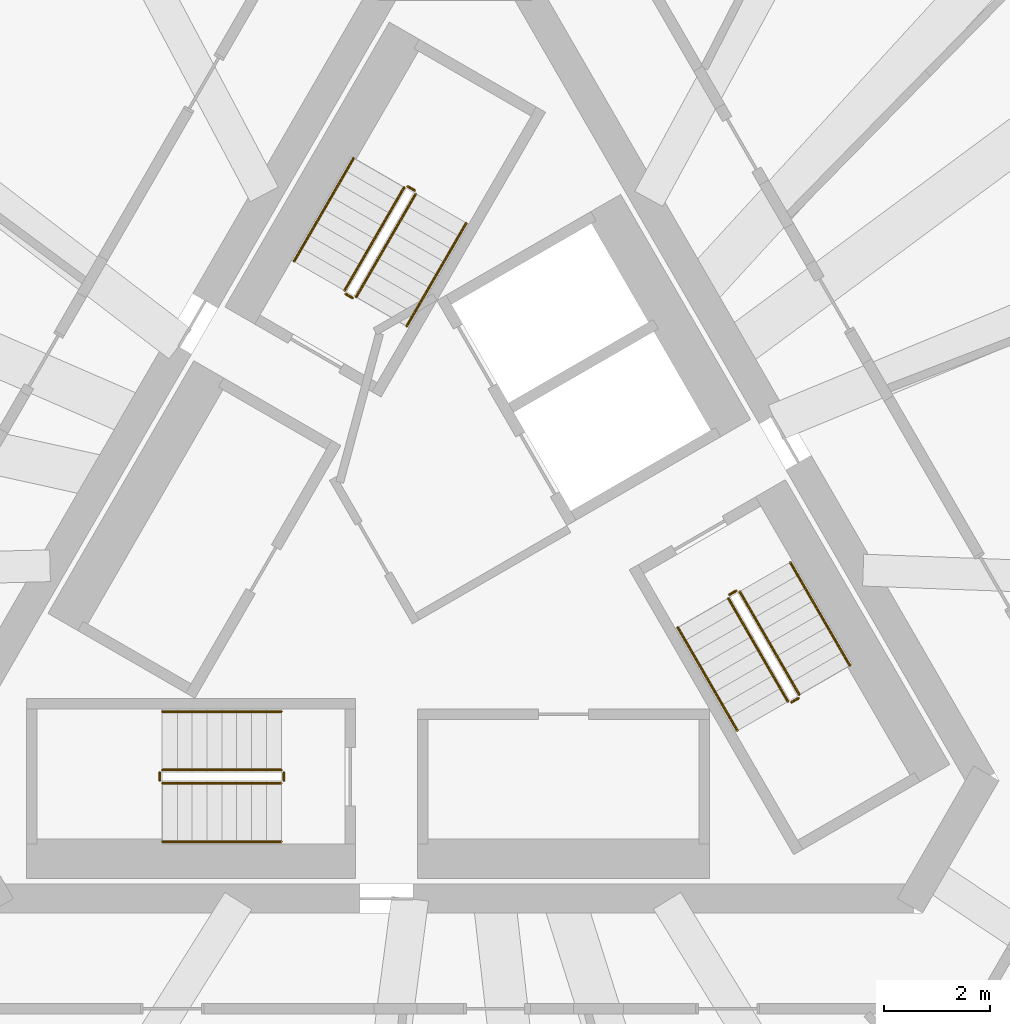
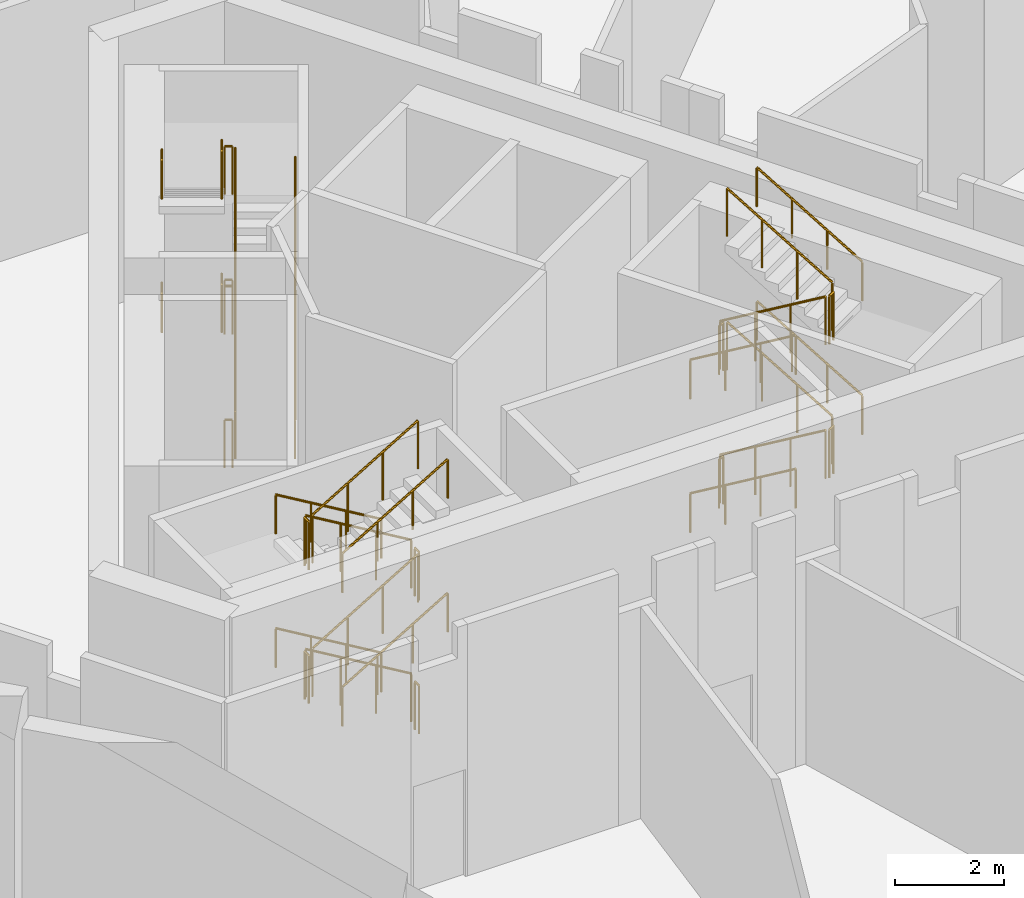
# One storey, part 5 of 5: 36 railings.
"""IFC4 building model written with IfcOpenShell, lengths in metres."""

from ifc_helpers import new_model, si_unit, direction, frame, origin, origin_2d, place, context, subcontext, project, spatial, circle, extrude, material, type_object, element, save


model = new_model("IFC4")

# Units and contexts
model_context = context("Model", 3, precision=1e-05, world=origin(), true_north=direction((0.0, 1.0)))
body_context = subcontext(model_context, "Body", "Model", "MODEL_VIEW")
ifc_project = project(units=[si_unit("LENGTHUNIT", "METRE"), si_unit("AREAUNIT", "SQUARE_METRE"), si_unit("VOLUMEUNIT", "CUBIC_METRE"), si_unit("PLANEANGLEUNIT", "RADIAN"), si_unit("MASSUNIT", "GRAM", prefix="KILO")], contexts=[model_context])

# Site, building, storey
site_placement = place(None, origin())
site = spatial("IfcSite", under=ifc_project, at=site_placement, CompositionType="ELEMENT")
building_placement = place(site_placement, origin())
building = spatial("IfcBuilding", under=site, at=building_placement, Name="Tramontana Tower", CompositionType="ELEMENT")
storey_placement = place(building_placement, frame((0.0, 0.0, 374.89990234375)))
storey = spatial("IfcBuildingStorey", under=building, at=storey_placement, Name="L86", CompositionType="ELEMENT", Elevation=374.89990234375)

# Railings
ifc_material_1 = material(Name="Painted steel", Category="steel")
railing_type_1 = type_object("IfcRailingType", Name="STAIR GUARD 1100", PredefinedType="GUARDRAIL", material=ifc_material_1)
railing_1_placement = place(storey_placement, frame((-1.867431640625, 4.865478515625, 0.166748046875)))
element("IfcRailing", 1, at=railing_1_placement, inside=storey, type_object=railing_type_1, Name="L86 ST1 stair guard 1", PredefinedType="GUARDRAIL", context=body_context, shape_type="SweptSolid", body=[
    extrude(circle(Radius=0.02392578125, at=origin_2d()), frame((0.0, 0.0, 1.076171875), z_axis=(0.429684499369, 0.744174592847, 0.511444431354), x_axis=(-0.866007717299, 0.500030632641, 0.0)), (0.0, 0.0, 1.0), 2.60693359375),
    extrude(circle(Radius=0.02099609375, at=origin_2d()), origin(), (0.0, 0.0, 1.0), 1.052001953125),
    extrude(circle(Radius=0.02099609375, at=origin_2d()), frame((0.373291015625, 0.646728515625, 0.4443359375)), (0.0, 0.0, 1.0), 1.052001953125),
    extrude(circle(Radius=0.02099609375, at=origin_2d()), frame((0.746826171875, 1.293212890625, 0.888916015625)), (0.0, 0.0, 1.0), 1.052001953125),
    extrude(circle(Radius=0.02099609375, at=origin_2d()), frame((1.1201171875, 1.93994140625, 1.333251953125)), (0.0, 0.0, 1.0), 1.052001953125),
])
railing_2_placement = place(storey_placement, frame((-0.9638671875, 6.930419921875, 1.666748046875)))
element("IfcRailing", 2, at=railing_2_placement, inside=storey, type_object=railing_type_1, Name="L86 ST1 stair guard 2", PredefinedType="GUARDRAIL", context=body_context, shape_type="SweptSolid", body=[
    extrude(circle(Radius=0.02392578125, at=origin_2d()), frame((0.0, 0.0, 1.076171875), z_axis=(-0.429684499369, -0.744174592847, 0.511444431354), x_axis=(0.866007717299, -0.500030632641, 0.0)), (0.0, 0.0, 1.0), 2.60693359375),
    extrude(circle(Radius=0.02099609375, at=origin_2d()), origin(), (0.0, 0.0, 1.0), 1.052001953125),
    extrude(circle(Radius=0.02099609375, at=origin_2d()), frame((-0.373291015625, -0.646728515625, 0.4443359375)), (0.0, 0.0, 1.0), 1.052001953125),
    extrude(circle(Radius=0.02099609375, at=origin_2d()), frame((-0.746826171875, -1.293212890625, 0.888916015625)), (0.0, 0.0, 1.0), 1.052001953125),
    extrude(circle(Radius=0.02099609375, at=origin_2d()), frame((-1.1201171875, -1.93994140625, 1.333251953125)), (0.0, 0.0, 1.0), 1.052001953125),
])
railing_3_placement = place(storey_placement, frame((-1.867431640625, 4.865478515625, 3.166748046875)))
element("IfcRailing", 3, at=railing_3_placement, inside=storey, type_object=railing_type_1, Name="L86 ST1 stair guard 3", PredefinedType="GUARDRAIL", context=body_context, shape_type="SweptSolid", body=[
    extrude(circle(Radius=0.02392578125, at=origin_2d()), frame((0.0, 0.0, 1.076171875), z_axis=(0.429684499369, 0.744174592847, 0.511444431354), x_axis=(-0.866007717299, 0.500030632641, 0.0)), (0.0, 0.0, 1.0), 2.60693359375),
    extrude(circle(Radius=0.02099609375, at=origin_2d()), origin(), (0.0, 0.0, 1.0), 1.052001953125),
    extrude(circle(Radius=0.02099609375, at=origin_2d()), frame((0.373291015625, 0.646728515625, 0.4443359375)), (0.0, 0.0, 1.0), 1.052001953125),
    extrude(circle(Radius=0.02099609375, at=origin_2d()), frame((0.746826171875, 1.293212890625, 0.888916015625)), (0.0, 0.0, 1.0), 1.052001953125),
    extrude(circle(Radius=0.02099609375, at=origin_2d()), frame((1.1201171875, 1.93994140625, 1.333251953125)), (0.0, 0.0, 1.0), 1.052001953125),
])
railing_4_placement = place(storey_placement, frame((-0.9638671875, 6.930419921875, 4.666748046875)))
element("IfcRailing", 4, at=railing_4_placement, inside=storey, type_object=railing_type_1, Name="L86 ST1 stair guard 4", PredefinedType="GUARDRAIL", context=body_context, shape_type="SweptSolid", body=[
    extrude(circle(Radius=0.02392578125, at=origin_2d()), frame((0.0, 0.0, 1.076171875), z_axis=(-0.429684499369, -0.744174592847, 0.511444431354), x_axis=(0.866007717299, -0.500030632641, 0.0)), (0.0, 0.0, 1.0), 2.60693359375),
    extrude(circle(Radius=0.02099609375, at=origin_2d()), origin(), (0.0, 0.0, 1.0), 1.052001953125),
    extrude(circle(Radius=0.02099609375, at=origin_2d()), frame((-0.373291015625, -0.646728515625, 0.4443359375)), (0.0, 0.0, 1.0), 1.052001953125),
    extrude(circle(Radius=0.02099609375, at=origin_2d()), frame((-0.746826171875, -1.293212890625, 0.888916015625)), (0.0, 0.0, 1.0), 1.052001953125),
    extrude(circle(Radius=0.02099609375, at=origin_2d()), frame((-1.1201171875, -1.93994140625, 1.333251953125)), (0.0, 0.0, 1.0), 1.052001953125),
])
railing_5_placement = place(storey_placement, frame((-0.765625, 6.873779296875, 1.5)))
element("IfcRailing", 5, at=railing_5_placement, inside=storey, type_object=railing_type_1, Name="L86 ST1 stair guard 5", PredefinedType="GUARDRAIL", context=body_context, shape_type="SweptSolid", body=[
    extrude(circle(Radius=0.02392578125, at=origin_2d()), frame((0.0, 0.0, 1.076171875), z_axis=(-0.866131372301, 0.499816412211, 0.0), x_axis=(-0.499816412211, -0.866131372301, 0.0)), (0.0, 0.0, 1.0), 0.14990234375),
    extrude(circle(Radius=0.02099609375, at=origin_2d()), origin(), (0.0, 0.0, 1.0), 1.052001953125),
    extrude(circle(Radius=0.02099609375, at=origin_2d()), frame((-0.1298828125, 0.074951171875, 0.0)), (0.0, 0.0, 1.0), 1.052001953125),
])
railing_6_placement = place(storey_placement, frame((-1.935791015625, 4.84716796875, 3.0)))
element("IfcRailing", 6, at=railing_6_placement, inside=storey, type_object=railing_type_1, Name="L86 ST1 stair guard 6", PredefinedType="GUARDRAIL", context=body_context, shape_type="SweptSolid", body=[
    extrude(circle(Radius=0.02392578125, at=origin_2d()), frame((0.0, 0.0, 1.076171875), z_axis=(-0.865426285481, 0.501036270542, 0.0), x_axis=(-0.501036270542, -0.865426285481, 0.0)), (0.0, 0.0, 1.0), 0.150146484375),
    extrude(circle(Radius=0.02099609375, at=origin_2d()), origin(), (0.0, 0.0, 1.0), 1.052001953125),
    extrude(circle(Radius=0.02099609375, at=origin_2d()), frame((-0.1298828125, 0.0751953125, 0.0)), (0.0, 0.0, 1.0), 1.052001953125),
])
railing_7_placement = place(storey_placement, frame((-0.765625, 6.873779296875, 4.5)))
element("IfcRailing", 7, at=railing_7_placement, inside=storey, type_object=railing_type_1, Name="L86 ST1 stair guard 7", PredefinedType="GUARDRAIL", context=body_context, shape_type="SweptSolid", body=[
    extrude(circle(Radius=0.02392578125, at=origin_2d()), frame((0.0, 0.0, 1.076171875), z_axis=(-0.866131372301, 0.499816412211, 0.0), x_axis=(-0.499816412211, -0.866131372301, 0.0)), (0.0, 0.0, 1.0), 0.14990234375),
    extrude(circle(Radius=0.02099609375, at=origin_2d()), origin(), (0.0, 0.0, 1.0), 1.052001953125),
    extrude(circle(Radius=0.02099609375, at=origin_2d()), frame((-0.1298828125, 0.074951171875, 0.0)), (0.0, 0.0, 1.0), 1.052001953125),
])
railing_8_placement = place(storey_placement, frame((-1.935791015625, 4.84716796875, 0.0)))
element("IfcRailing", 8, at=railing_8_placement, inside=storey, type_object=railing_type_1, Name="L86 ST1 stair guard 8", PredefinedType="GUARDRAIL", context=body_context, shape_type="SweptSolid", body=[
    extrude(circle(Radius=0.02392578125, at=origin_2d()), frame((0.0, 0.0, 1.076171875), z_axis=(-0.865426285481, 0.501036270542, 0.0), x_axis=(-0.501036270542, -0.865426285481, 0.0)), (0.0, 0.0, 1.0), 0.150146484375),
    extrude(circle(Radius=0.02099609375, at=origin_2d()), origin(), (0.0, 0.0, 1.0), 1.052001953125),
    extrude(circle(Radius=0.02099609375, at=origin_2d()), frame((-0.1298828125, 0.0751953125, 0.0)), (0.0, 0.0, 1.0), 1.052001953125),
])
railing_9_placement = place(storey_placement, frame((-3.280029296875, -4.050048828125, 0.166748046875)))
element("IfcRailing", 9, at=railing_9_placement, inside=storey, type_object=railing_type_1, Name="L86 ST2 stair guard 1", PredefinedType="GUARDRAIL", context=body_context, shape_type="SweptSolid", body=[
    extrude(circle(Radius=0.02392578125, at=origin_2d()), frame((0.0, 0.0, 1.076171875), z_axis=(-0.859305625298, 0.0, 0.511462454469), x_axis=(0.0, -1.0, 0.0)), (0.0, 0.0, 1.0), 2.606689453125),
    extrude(circle(Radius=0.02099609375, at=origin_2d()), origin(), (0.0, 0.0, 1.0), 1.052001953125),
    extrude(circle(Radius=0.02099609375, at=origin_2d()), frame((-0.74658203125, 0.0, 0.4443359375)), (0.0, 0.0, 1.0), 1.052001953125),
    extrude(circle(Radius=0.02099609375, at=origin_2d()), frame((-1.493408203125, 0.0, 0.888916015625)), (0.0, 0.0, 1.0), 1.052001953125),
    extrude(circle(Radius=0.02099609375, at=origin_2d()), frame((-2.239990234375, 0.0, 1.333251953125)), (0.0, 0.0, 1.0), 1.052001953125),
])
railing_10_placement = place(storey_placement, frame((-5.52001953125, -4.300048828125, 1.666748046875)))
element("IfcRailing", 10, at=railing_10_placement, inside=storey, type_object=railing_type_1, Name="L86 ST2 stair guard 2", PredefinedType="GUARDRAIL", context=body_context, shape_type="SweptSolid", body=[
    extrude(circle(Radius=0.02392578125, at=origin_2d()), frame((0.0, 0.0, 1.076171875), z_axis=(0.859305625298, 0.0, 0.511462454469), x_axis=(0.0, 1.0, 0.0)), (0.0, 0.0, 1.0), 2.606689453125),
    extrude(circle(Radius=0.02099609375, at=origin_2d()), origin(), (0.0, 0.0, 1.0), 1.052001953125),
    extrude(circle(Radius=0.02099609375, at=origin_2d()), frame((0.74658203125, 0.0, 0.4443359375)), (0.0, 0.0, 1.0), 1.052001953125),
    extrude(circle(Radius=0.02099609375, at=origin_2d()), frame((1.493408203125, 0.0, 0.888916015625)), (0.0, 0.0, 1.0), 1.052001953125),
    extrude(circle(Radius=0.02099609375, at=origin_2d()), frame((2.239990234375, 0.0, 1.333251953125)), (0.0, 0.0, 1.0), 1.052001953125),
])
railing_11_placement = place(storey_placement, frame((-3.280029296875, -4.050048828125, 3.166748046875)))
element("IfcRailing", 11, at=railing_11_placement, inside=storey, type_object=railing_type_1, Name="L86 ST2 stair guard 3", PredefinedType="GUARDRAIL", context=body_context, shape_type="SweptSolid", body=[
    extrude(circle(Radius=0.02392578125, at=origin_2d()), frame((0.0, 0.0, 1.076171875), z_axis=(-0.859305625298, 0.0, 0.511462454469), x_axis=(0.0, -1.0, 0.0)), (0.0, 0.0, 1.0), 2.606689453125),
    extrude(circle(Radius=0.02099609375, at=origin_2d()), origin(), (0.0, 0.0, 1.0), 1.052001953125),
    extrude(circle(Radius=0.02099609375, at=origin_2d()), frame((-0.74658203125, 0.0, 0.4443359375)), (0.0, 0.0, 1.0), 1.052001953125),
    extrude(circle(Radius=0.02099609375, at=origin_2d()), frame((-1.493408203125, 0.0, 0.888916015625)), (0.0, 0.0, 1.0), 1.052001953125),
    extrude(circle(Radius=0.02099609375, at=origin_2d()), frame((-2.239990234375, 0.0, 1.333251953125)), (0.0, 0.0, 1.0), 1.052001953125),
])
railing_12_placement = place(storey_placement, frame((-5.52001953125, -4.300048828125, 4.666748046875)))
element("IfcRailing", 12, at=railing_12_placement, inside=storey, type_object=railing_type_1, Name="L86 ST2 stair guard 4", PredefinedType="GUARDRAIL", context=body_context, shape_type="SweptSolid", body=[
    extrude(circle(Radius=0.02392578125, at=origin_2d()), frame((0.0, 0.0, 1.076171875), z_axis=(0.859305625298, 0.0, 0.511462454469), x_axis=(0.0, 1.0, 0.0)), (0.0, 0.0, 1.0), 2.606689453125),
    extrude(circle(Radius=0.02099609375, at=origin_2d()), origin(), (0.0, 0.0, 1.0), 1.052001953125),
    extrude(circle(Radius=0.02099609375, at=origin_2d()), frame((0.74658203125, 0.0, 0.4443359375)), (0.0, 0.0, 1.0), 1.052001953125),
    extrude(circle(Radius=0.02099609375, at=origin_2d()), frame((1.493408203125, 0.0, 0.888916015625)), (0.0, 0.0, 1.0), 1.052001953125),
    extrude(circle(Radius=0.02099609375, at=origin_2d()), frame((2.239990234375, 0.0, 1.333251953125)), (0.0, 0.0, 1.0), 1.052001953125),
])
for number, where, name in (
    (13, (-5.570068359375, -4.10009765625, 1.5), "L86 ST2 stair guard 5"),
    (14, (-3.22998046875, -4.10009765625, 3.0), "L86 ST2 stair guard 6"),
    (15, (-5.570068359375, -4.10009765625, 4.5), "L86 ST2 stair guard 7"),
    (16, (-3.22998046875, -4.10009765625, 0.0), "L86 ST2 stair guard 8"),
):
    element("IfcRailing", number, at=place(storey_placement, frame(where)), inside=storey, type_object=railing_type_1, Name=name, PredefinedType="GUARDRAIL", context=body_context, shape_type="SweptSolid", body=[
        extrude(circle(Radius=0.02392578125, at=origin_2d()), frame((0.0, 0.0, 1.076171875), z_axis=(0.0, -1.0, 0.0), x_axis=(1.0, 0.0, 0.0)), (0.0, 0.0, 1.0), 0.14990234375),
        extrude(circle(Radius=0.02099609375, at=origin_2d()), origin(), (0.0, 0.0, 1.0), 1.052001953125),
        extrude(circle(Radius=0.02099609375, at=origin_2d()), frame((0.0, -0.14990234375, 0.0)), (0.0, 0.0, 1.0), 1.052001953125),
    ])
railing_13_placement = place(storey_placement, frame((5.1474609375, -0.815673828125, 0.166748046875)))
element("IfcRailing", 17, at=railing_13_placement, inside=storey, type_object=railing_type_1, Name="L86 ST3 stair guard 1", PredefinedType="GUARDRAIL", context=body_context, shape_type="SweptSolid", body=[
    extrude(circle(Radius=0.02392578125, at=origin_2d()), frame((0.0, 0.0, 1.076171875), z_axis=(0.429638077151, -0.74416274754, 0.511500662595), x_axis=(0.866027664105, 0.49999608499, 0.0)), (0.0, 0.0, 1.0), 2.6064453125),
    extrude(circle(Radius=0.02099609375, at=origin_2d()), origin(), (0.0, 0.0, 1.0), 1.052001953125),
    extrude(circle(Radius=0.02099609375, at=origin_2d()), frame((0.373291015625, -0.646484375, 0.4443359375)), (0.0, 0.0, 1.0), 1.052001953125),
    extrude(circle(Radius=0.02099609375, at=origin_2d()), frame((0.74658203125, -1.293212890625, 0.888916015625)), (0.0, 0.0, 1.0), 1.052001953125),
    extrude(circle(Radius=0.02099609375, at=origin_2d()), frame((1.119873046875, -1.939697265625, 1.333251953125)), (0.0, 0.0, 1.0), 1.052001953125),
])
railing_14_placement = place(storey_placement, frame((6.48388671875, -2.63037109375, 1.666748046875)))
element("IfcRailing", 18, at=railing_14_placement, inside=storey, type_object=railing_type_1, Name="L86 ST3 stair guard 2", PredefinedType="GUARDRAIL", context=body_context, shape_type="SweptSolid", body=[
    extrude(circle(Radius=0.02392578125, at=origin_2d()), frame((0.0, 0.0, 1.076171875), z_axis=(-0.429638077151, 0.74416274754, 0.511500662595), x_axis=(-0.866027664105, -0.49999608499, 0.0)), (0.0, 0.0, 1.0), 2.6064453125),
    extrude(circle(Radius=0.02099609375, at=origin_2d()), origin(), (0.0, 0.0, 1.0), 1.052001953125),
    extrude(circle(Radius=0.02099609375, at=origin_2d()), frame((-0.373291015625, 0.646484375, 0.4443359375)), (0.0, 0.0, 1.0), 1.052001953125),
    extrude(circle(Radius=0.02099609375, at=origin_2d()), frame((-0.74658203125, 1.293212890625, 0.888916015625)), (0.0, 0.0, 1.0), 1.052001953125),
    extrude(circle(Radius=0.02099609375, at=origin_2d()), frame((-1.119873046875, 1.939697265625, 1.333251953125)), (0.0, 0.0, 1.0), 1.052001953125),
])
railing_15_placement = place(storey_placement, frame((5.1474609375, -0.815673828125, 3.166748046875)))
element("IfcRailing", 19, at=railing_15_placement, inside=storey, type_object=railing_type_1, Name="L86 ST3 stair guard 3", PredefinedType="GUARDRAIL", context=body_context, shape_type="SweptSolid", body=[
    extrude(circle(Radius=0.02392578125, at=origin_2d()), frame((0.0, 0.0, 1.076171875), z_axis=(0.429638077151, -0.74416274754, 0.511500662595), x_axis=(0.866027664105, 0.49999608499, 0.0)), (0.0, 0.0, 1.0), 2.6064453125),
    extrude(circle(Radius=0.02099609375, at=origin_2d()), origin(), (0.0, 0.0, 1.0), 1.052001953125),
    extrude(circle(Radius=0.02099609375, at=origin_2d()), frame((0.373291015625, -0.646484375, 0.4443359375)), (0.0, 0.0, 1.0), 1.052001953125),
    extrude(circle(Radius=0.02099609375, at=origin_2d()), frame((0.74658203125, -1.293212890625, 0.888916015625)), (0.0, 0.0, 1.0), 1.052001953125),
    extrude(circle(Radius=0.02099609375, at=origin_2d()), frame((1.119873046875, -1.939697265625, 1.333251953125)), (0.0, 0.0, 1.0), 1.052001953125),
])
railing_16_placement = place(storey_placement, frame((6.48388671875, -2.63037109375, 4.666748046875)))
element("IfcRailing", 20, at=railing_16_placement, inside=storey, type_object=railing_type_1, Name="L86 ST3 stair guard 4", PredefinedType="GUARDRAIL", context=body_context, shape_type="SweptSolid", body=[
    extrude(circle(Radius=0.02392578125, at=origin_2d()), frame((0.0, 0.0, 1.076171875), z_axis=(-0.429638077151, 0.74416274754, 0.511500662595), x_axis=(-0.866027664105, -0.49999608499, 0.0)), (0.0, 0.0, 1.0), 2.6064453125),
    extrude(circle(Radius=0.02099609375, at=origin_2d()), origin(), (0.0, 0.0, 1.0), 1.052001953125),
    extrude(circle(Radius=0.02099609375, at=origin_2d()), frame((-0.373291015625, 0.646484375, 0.4443359375)), (0.0, 0.0, 1.0), 1.052001953125),
    extrude(circle(Radius=0.02099609375, at=origin_2d()), frame((-0.74658203125, 1.293212890625, 0.888916015625)), (0.0, 0.0, 1.0), 1.052001953125),
    extrude(circle(Radius=0.02099609375, at=origin_2d()), frame((-1.119873046875, 1.939697265625, 1.333251953125)), (0.0, 0.0, 1.0), 1.052001953125),
])
for number, where, name in (
    (21, (6.335693359375, -2.773681640625, 1.5), "L86 ST3 stair guard 5"),
    (22, (5.165771484375, -0.747314453125, 3.0), "L86 ST3 stair guard 6"),
    (23, (6.335693359375, -2.773681640625, 4.5), "L86 ST3 stair guard 7"),
    (24, (5.165771484375, -0.747314453125, 0.0), "L86 ST3 stair guard 8"),
):
    element("IfcRailing", number, at=place(storey_placement, frame(where)), inside=storey, type_object=railing_type_1, Name=name, PredefinedType="GUARDRAIL", context=body_context, shape_type="SweptSolid", body=[
        extrude(circle(Radius=0.02392578125, at=origin_2d()), frame((0.0, 0.0, 1.076171875), z_axis=(0.866131372301, 0.499816412211, 0.0), x_axis=(-0.499816412211, 0.866131372301, 0.0)), (0.0, 0.0, 1.0), 0.14990234375),
        extrude(circle(Radius=0.02099609375, at=origin_2d()), origin(), (0.0, 0.0, 1.0), 1.052001953125),
        extrude(circle(Radius=0.02099609375, at=origin_2d()), frame((0.1298828125, 0.074951171875, 0.0)), (0.0, 0.0, 1.0), 1.052001953125),
    ])
ifc_material_2 = material(Name="Painted steel", Category="steel")
railing_type_2 = type_object("IfcRailingType", Name="STAIR HANDRAIL 900", PredefinedType="HANDRAIL", material=ifc_material_2)
railing_17_placement = place(storey_placement, frame((-0.914794921875, 4.315673828125, 0.166748046875)))
element("IfcRailing", 25, at=railing_17_placement, inside=storey, type_object=railing_type_2, Name="L86 ST1 stair handrail 1", PredefinedType="HANDRAIL", context=body_context, shape_type="SweptSolid", body=[
    extrude(circle(Radius=0.02392578125, at=origin_2d()), frame((0.0, 0.0, 0.8759765625), z_axis=(0.429714447441, 0.744132799677, 0.511480077916), x_axis=(-0.865980463445, 0.500077830873, 0.0)), (0.0, 0.0, 1.0), 2.606689453125),
    extrude(circle(Radius=0.02099609375, at=origin_2d()), origin(), (0.0, 0.0, 1.0), 0.851806640625),
    extrude(circle(Radius=0.02099609375, at=origin_2d()), frame((0.373291015625, 0.646484375, 0.4443359375)), (0.0, 0.0, 1.0), 0.851806640625),
    extrude(circle(Radius=0.02099609375, at=origin_2d()), frame((0.746826171875, 1.293212890625, 0.888916015625)), (0.0, 0.0, 1.0), 0.851806640625),
    extrude(circle(Radius=0.02099609375, at=origin_2d()), frame((1.1201171875, 1.939697265625, 1.333251953125)), (0.0, 0.0, 1.0), 0.851806640625),
])
railing_18_placement = place(storey_placement, frame((-1.91650390625, 7.48046875, 1.666748046875)))
element("IfcRailing", 26, at=railing_18_placement, inside=storey, type_object=railing_type_2, Name="L86 ST1 stair handrail 2", PredefinedType="HANDRAIL", context=body_context, shape_type="SweptSolid", body=[
    extrude(circle(Radius=0.02392578125, at=origin_2d()), frame((0.0, 0.0, 0.8759765625), z_axis=(-0.429684499369, -0.744174592847, 0.511444431354), x_axis=(0.866007717299, -0.500030632641, 0.0)), (0.0, 0.0, 1.0), 2.60693359375),
    extrude(circle(Radius=0.02099609375, at=origin_2d()), origin(), (0.0, 0.0, 1.0), 0.851806640625),
    extrude(circle(Radius=0.02099609375, at=origin_2d()), frame((-0.373291015625, -0.646728515625, 0.4443359375)), (0.0, 0.0, 1.0), 0.851806640625),
    extrude(circle(Radius=0.02099609375, at=origin_2d()), frame((-0.746826171875, -1.293212890625, 0.888916015625)), (0.0, 0.0, 1.0), 0.851806640625),
    extrude(circle(Radius=0.02099609375, at=origin_2d()), frame((-1.1201171875, -1.93994140625, 1.333251953125)), (0.0, 0.0, 1.0), 0.851806640625),
])
railing_19_placement = place(storey_placement, frame((-0.914794921875, 4.315673828125, 3.166748046875)))
element("IfcRailing", 27, at=railing_19_placement, inside=storey, type_object=railing_type_2, Name="L86 ST1 stair handrail 3", PredefinedType="HANDRAIL", context=body_context, shape_type="SweptSolid", body=[
    extrude(circle(Radius=0.02392578125, at=origin_2d()), frame((0.0, 0.0, 0.8759765625), z_axis=(0.429714447441, 0.744132799677, 0.511480077916), x_axis=(-0.865980463445, 0.500077830873, 0.0)), (0.0, 0.0, 1.0), 2.606689453125),
    extrude(circle(Radius=0.02099609375, at=origin_2d()), origin(), (0.0, 0.0, 1.0), 0.851806640625),
    extrude(circle(Radius=0.02099609375, at=origin_2d()), frame((0.373291015625, 0.646484375, 0.4443359375)), (0.0, 0.0, 1.0), 0.851806640625),
    extrude(circle(Radius=0.02099609375, at=origin_2d()), frame((0.746826171875, 1.293212890625, 0.888916015625)), (0.0, 0.0, 1.0), 0.851806640625),
    extrude(circle(Radius=0.02099609375, at=origin_2d()), frame((1.1201171875, 1.939697265625, 1.333251953125)), (0.0, 0.0, 1.0), 0.851806640625),
])
railing_20_placement = place(storey_placement, frame((-1.91650390625, 7.48046875, 4.666748046875)))
element("IfcRailing", 28, at=railing_20_placement, inside=storey, type_object=railing_type_2, Name="L86 ST1 stair handrail 4", PredefinedType="HANDRAIL", context=body_context, shape_type="SweptSolid", body=[
    extrude(circle(Radius=0.02392578125, at=origin_2d()), frame((0.0, 0.0, 0.8759765625), z_axis=(-0.429684499369, -0.744174592847, 0.511444431354), x_axis=(0.866007717299, -0.500030632641, 0.0)), (0.0, 0.0, 1.0), 2.60693359375),
    extrude(circle(Radius=0.02099609375, at=origin_2d()), origin(), (0.0, 0.0, 1.0), 0.851806640625),
    extrude(circle(Radius=0.02099609375, at=origin_2d()), frame((-0.373291015625, -0.646728515625, 0.4443359375)), (0.0, 0.0, 1.0), 0.851806640625),
    extrude(circle(Radius=0.02099609375, at=origin_2d()), frame((-0.746826171875, -1.293212890625, 0.888916015625)), (0.0, 0.0, 1.0), 0.851806640625),
    extrude(circle(Radius=0.02099609375, at=origin_2d()), frame((-1.1201171875, -1.93994140625, 1.333251953125)), (0.0, 0.0, 1.0), 0.851806640625),
])
railing_21_placement = place(storey_placement, frame((-3.280029296875, -2.949951171875, 0.166748046875)))
element("IfcRailing", 29, at=railing_21_placement, inside=storey, type_object=railing_type_2, Name="L86 ST2 stair handrail 1", PredefinedType="HANDRAIL", context=body_context, shape_type="SweptSolid", body=[
    extrude(circle(Radius=0.02392578125, at=origin_2d()), frame((0.0, 0.0, 0.8759765625), z_axis=(-0.859305625298, 0.0, 0.511462454469), x_axis=(0.0, -1.0, 0.0)), (0.0, 0.0, 1.0), 2.606689453125),
    extrude(circle(Radius=0.02099609375, at=origin_2d()), origin(), (0.0, 0.0, 1.0), 0.851806640625),
    extrude(circle(Radius=0.02099609375, at=origin_2d()), frame((-0.74658203125, 0.0, 0.4443359375)), (0.0, 0.0, 1.0), 0.851806640625),
    extrude(circle(Radius=0.02099609375, at=origin_2d()), frame((-1.493408203125, 0.0, 0.888916015625)), (0.0, 0.0, 1.0), 0.851806640625),
    extrude(circle(Radius=0.02099609375, at=origin_2d()), frame((-2.239990234375, 0.0, 1.333251953125)), (0.0, 0.0, 1.0), 0.851806640625),
])
railing_22_placement = place(storey_placement, frame((-5.52001953125, -5.39990234375, 1.666748046875)))
element("IfcRailing", 30, at=railing_22_placement, inside=storey, type_object=railing_type_2, Name="L86 ST2 stair handrail 2", PredefinedType="HANDRAIL", context=body_context, shape_type="SweptSolid", body=[
    extrude(circle(Radius=0.02392578125, at=origin_2d()), frame((0.0, 0.0, 0.8759765625), z_axis=(0.859305625298, 0.0, 0.511462454469), x_axis=(0.0, 1.0, 0.0)), (0.0, 0.0, 1.0), 2.606689453125),
    extrude(circle(Radius=0.02099609375, at=origin_2d()), origin(), (0.0, 0.0, 1.0), 0.851806640625),
    extrude(circle(Radius=0.02099609375, at=origin_2d()), frame((0.74658203125, 0.0, 0.4443359375)), (0.0, 0.0, 1.0), 0.851806640625),
    extrude(circle(Radius=0.02099609375, at=origin_2d()), frame((1.493408203125, 0.0, 0.888916015625)), (0.0, 0.0, 1.0), 0.851806640625),
    extrude(circle(Radius=0.02099609375, at=origin_2d()), frame((2.239990234375, 0.0, 1.333251953125)), (0.0, 0.0, 1.0), 0.851806640625),
])
railing_23_placement = place(storey_placement, frame((-3.280029296875, -2.949951171875, 3.166748046875)))
element("IfcRailing", 31, at=railing_23_placement, inside=storey, type_object=railing_type_2, Name="L86 ST2 stair handrail 3", PredefinedType="HANDRAIL", context=body_context, shape_type="SweptSolid", body=[
    extrude(circle(Radius=0.02392578125, at=origin_2d()), frame((0.0, 0.0, 0.8759765625), z_axis=(-0.859305625298, 0.0, 0.511462454469), x_axis=(0.0, -1.0, 0.0)), (0.0, 0.0, 1.0), 2.606689453125),
    extrude(circle(Radius=0.02099609375, at=origin_2d()), origin(), (0.0, 0.0, 1.0), 0.851806640625),
    extrude(circle(Radius=0.02099609375, at=origin_2d()), frame((-0.74658203125, 0.0, 0.4443359375)), (0.0, 0.0, 1.0), 0.851806640625),
    extrude(circle(Radius=0.02099609375, at=origin_2d()), frame((-1.493408203125, 0.0, 0.888916015625)), (0.0, 0.0, 1.0), 0.851806640625),
    extrude(circle(Radius=0.02099609375, at=origin_2d()), frame((-2.239990234375, 0.0, 1.333251953125)), (0.0, 0.0, 1.0), 0.851806640625),
])
railing_24_placement = place(storey_placement, frame((-5.52001953125, -5.39990234375, 4.666748046875)))
element("IfcRailing", 32, at=railing_24_placement, inside=storey, type_object=railing_type_2, Name="L86 ST2 stair handrail 4", PredefinedType="HANDRAIL", context=body_context, shape_type="SweptSolid", body=[
    extrude(circle(Radius=0.02392578125, at=origin_2d()), frame((0.0, 0.0, 0.8759765625), z_axis=(0.859305625298, 0.0, 0.511462454469), x_axis=(0.0, 1.0, 0.0)), (0.0, 0.0, 1.0), 2.606689453125),
    extrude(circle(Radius=0.02099609375, at=origin_2d()), origin(), (0.0, 0.0, 1.0), 0.851806640625),
    extrude(circle(Radius=0.02099609375, at=origin_2d()), frame((0.74658203125, 0.0, 0.4443359375)), (0.0, 0.0, 1.0), 0.851806640625),
    extrude(circle(Radius=0.02099609375, at=origin_2d()), frame((1.493408203125, 0.0, 0.888916015625)), (0.0, 0.0, 1.0), 0.851806640625),
    extrude(circle(Radius=0.02099609375, at=origin_2d()), frame((2.239990234375, 0.0, 1.333251953125)), (0.0, 0.0, 1.0), 0.851806640625),
])
railing_25_placement = place(storey_placement, frame((4.19482421875, -1.365478515625, 0.166748046875)))
element("IfcRailing", 33, at=railing_25_placement, inside=storey, type_object=railing_type_2, Name="L86 ST3 stair handrail 1", PredefinedType="HANDRAIL", context=body_context, shape_type="SweptSolid", body=[
    extrude(circle(Radius=0.02392578125, at=origin_2d()), frame((0.0, 0.0, 0.8759765625), z_axis=(0.429608131991, -0.744204538217, 0.51146501173), x_axis=(0.866054910533, 0.49994888933, 0.0)), (0.0, 0.0, 1.0), 2.606689453125),
    extrude(circle(Radius=0.02099609375, at=origin_2d()), origin(), (0.0, 0.0, 1.0), 0.851806640625),
    extrude(circle(Radius=0.02099609375, at=origin_2d()), frame((0.373291015625, -0.646728515625, 0.4443359375)), (0.0, 0.0, 1.0), 0.851806640625),
    extrude(circle(Radius=0.02099609375, at=origin_2d()), frame((0.74658203125, -1.293212890625, 0.888916015625)), (0.0, 0.0, 1.0), 0.851806640625),
    extrude(circle(Radius=0.02099609375, at=origin_2d()), frame((1.119873046875, -1.93994140625, 1.333251953125)), (0.0, 0.0, 1.0), 0.851806640625),
])
railing_26_placement = place(storey_placement, frame((7.4365234375, -2.08056640625, 1.666748046875)))
element("IfcRailing", 34, at=railing_26_placement, inside=storey, type_object=railing_type_2, Name="L86 ST3 stair handrail 2", PredefinedType="HANDRAIL", context=body_context, shape_type="SweptSolid", body=[
    extrude(circle(Radius=0.02392578125, at=origin_2d()), frame((0.0, 0.0, 0.8759765625), z_axis=(-0.429608131991, 0.744204538217, 0.51146501173), x_axis=(-0.866054910533, -0.49994888933, 0.0)), (0.0, 0.0, 1.0), 2.606689453125),
    extrude(circle(Radius=0.02099609375, at=origin_2d()), origin(), (0.0, 0.0, 1.0), 0.851806640625),
    extrude(circle(Radius=0.02099609375, at=origin_2d()), frame((-0.373291015625, 0.646728515625, 0.4443359375)), (0.0, 0.0, 1.0), 0.851806640625),
    extrude(circle(Radius=0.02099609375, at=origin_2d()), frame((-0.74658203125, 1.293212890625, 0.888916015625)), (0.0, 0.0, 1.0), 0.851806640625),
    extrude(circle(Radius=0.02099609375, at=origin_2d()), frame((-1.119873046875, 1.93994140625, 1.333251953125)), (0.0, 0.0, 1.0), 0.851806640625),
])
railing_27_placement = place(storey_placement, frame((4.19482421875, -1.365478515625, 3.166748046875)))
element("IfcRailing", 35, at=railing_27_placement, inside=storey, type_object=railing_type_2, Name="L86 ST3 stair handrail 3", PredefinedType="HANDRAIL", context=body_context, shape_type="SweptSolid", body=[
    extrude(circle(Radius=0.02392578125, at=origin_2d()), frame((0.0, 0.0, 0.8759765625), z_axis=(0.429608131991, -0.744204538217, 0.51146501173), x_axis=(0.866054910533, 0.49994888933, 0.0)), (0.0, 0.0, 1.0), 2.606689453125),
    extrude(circle(Radius=0.02099609375, at=origin_2d()), origin(), (0.0, 0.0, 1.0), 0.851806640625),
    extrude(circle(Radius=0.02099609375, at=origin_2d()), frame((0.373291015625, -0.646728515625, 0.4443359375)), (0.0, 0.0, 1.0), 0.851806640625),
    extrude(circle(Radius=0.02099609375, at=origin_2d()), frame((0.74658203125, -1.293212890625, 0.888916015625)), (0.0, 0.0, 1.0), 0.851806640625),
    extrude(circle(Radius=0.02099609375, at=origin_2d()), frame((1.119873046875, -1.93994140625, 1.333251953125)), (0.0, 0.0, 1.0), 0.851806640625),
])
railing_28_placement = place(storey_placement, frame((7.4365234375, -2.08056640625, 4.666748046875)))
element("IfcRailing", 36, at=railing_28_placement, inside=storey, type_object=railing_type_2, Name="L86 ST3 stair handrail 4", PredefinedType="HANDRAIL", context=body_context, shape_type="SweptSolid", body=[
    extrude(circle(Radius=0.02392578125, at=origin_2d()), frame((0.0, 0.0, 0.8759765625), z_axis=(-0.429608131991, 0.744204538217, 0.51146501173), x_axis=(-0.866054910533, -0.49994888933, 0.0)), (0.0, 0.0, 1.0), 2.606689453125),
    extrude(circle(Radius=0.02099609375, at=origin_2d()), origin(), (0.0, 0.0, 1.0), 0.851806640625),
    extrude(circle(Radius=0.02099609375, at=origin_2d()), frame((-0.373291015625, 0.646728515625, 0.4443359375)), (0.0, 0.0, 1.0), 0.851806640625),
    extrude(circle(Radius=0.02099609375, at=origin_2d()), frame((-0.74658203125, 1.293212890625, 0.888916015625)), (0.0, 0.0, 1.0), 0.851806640625),
    extrude(circle(Radius=0.02099609375, at=origin_2d()), frame((-1.119873046875, 1.93994140625, 1.333251953125)), (0.0, 0.0, 1.0), 0.851806640625),
])

save(model, "model.ifc")
